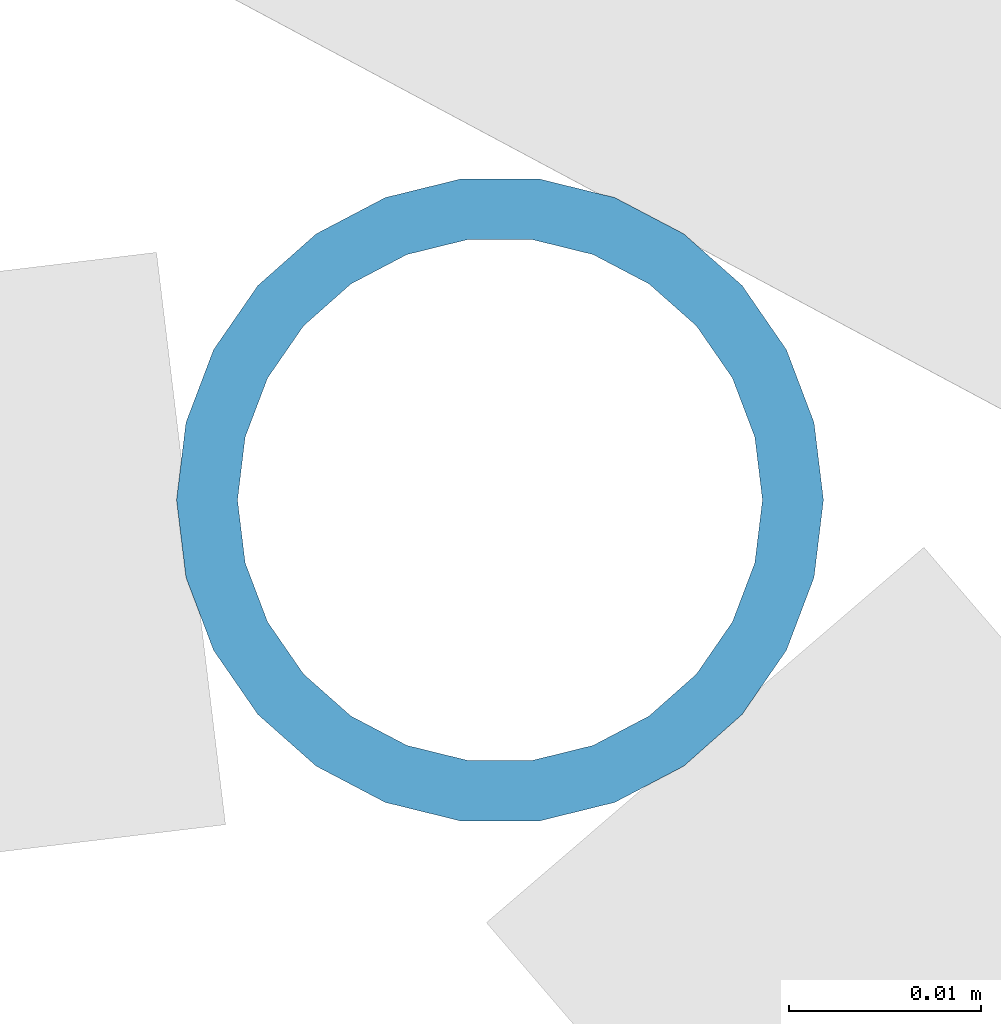
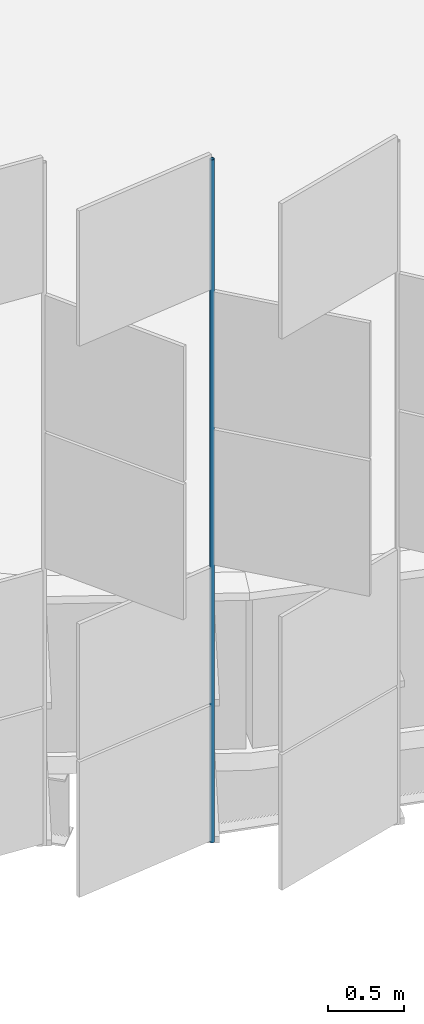
# One storey, part 163 of 483: 1 discrete accessory.
"""IFC4 building model written with IfcOpenShell, lengths in metres."""

import ifcopenshell
import ifcopenshell.guid

model = None  # the IFC model being written
_history = None  # IfcOwnerHistory: only IFC2X3 demands one
_inside = {}  # id of a spatial element -> (the spatial element, [elements in it])
_under = {}  # id of a project, library or spatial element -> (it, [spatial elements below it])
_declared = {}  # id of a project -> (the project, [libraries it declares])
_typed = {}  # id of a type object -> (the type object, [elements of that type])
_made_of = {}  # id of a material, layer set ... -> (it, [elements and type objects made of it])


def new_model(schema):
    """Start an empty IFC model of exactly this schema.

    Asked for "IFC4X3", IfcOpenShell would pick the latest addendum, in which some entities
    have other attributes; the version numbers below select the first issue.
    IFC2X3 requires an IfcOwnerHistory on every rooted entity: one is made here for all.
    """
    global model, _history
    if schema == "IFC4X3":
        model = ifcopenshell.file(schema_version=(4, 3, 0, 0))
    else:
        model = ifcopenshell.file(schema=schema)
    _inside.clear()
    _under.clear()
    _declared.clear()
    _typed.clear()
    _made_of.clear()
    _history = None
    if model.schema == "IFC2X3":
        org = make("IfcOrganization", Name="unknown")
        user = make(
            "IfcPersonAndOrganization",
            ThePerson=make("IfcPerson", FamilyName="unknown"),
            TheOrganization=org,
        )
        app = make(
            "IfcApplication",
            ApplicationDeveloper=org,
            Version="unknown",
            ApplicationFullName="unknown",
            ApplicationIdentifier="unknown",
        )
        _history = make(
            "IfcOwnerHistory",
            OwningUser=user,
            OwningApplication=app,
            ChangeAction="ADDED",
            CreationDate=0,
        )
    return model


def make(cls, **values):
    """One entity of the class cls with the attributes given. An attribute that is None is left unset."""
    return model.create_entity(
        cls, **{name: value for name, value in values.items() if value is not None}
    )


def rooted(cls, **values):
    """An entity with a GlobalId (a new one), such as an element, a storey or a relation."""
    return make(cls, GlobalId=ifcopenshell.guid.new(), OwnerHistory=_history, **values)


def si_unit(unit_type, name, prefix=None):
    """IfcSIUnit, for example si_unit("LENGTHUNIT", "METRE", prefix="MILLI")."""
    return make("IfcSIUnit", UnitType=unit_type, Prefix=prefix, Name=name)


def assignment(units):
    """IfcUnitAssignment: the units of a project."""
    return None if units is None else make("IfcUnitAssignment", Units=units)


def point(xyz):
    """IfcCartesianPoint."""
    return None if xyz is None else make("IfcCartesianPoint", Coordinates=xyz)


def direction(xyz):
    """IfcDirection."""
    return None if xyz is None else make("IfcDirection", DirectionRatios=xyz)


def frame(location, z_axis=None, x_axis=None):
    """IfcAxis2Placement3D, a coordinate frame: its origin and axes. An axis left out is left unset."""
    return make(
        "IfcAxis2Placement3D",
        Location=point(location),
        Axis=direction(z_axis),
        RefDirection=direction(x_axis),
    )


def frame_2d(location, x_axis=None):
    """IfcAxis2Placement2D, a coordinate frame in the plane: its origin and x axis."""
    return make(
        "IfcAxis2Placement2D", Location=point(location), RefDirection=direction(x_axis)
    )


def origin():
    """The frame at (0, 0, 0) with its axes left unset."""
    return frame((0.0, 0.0, 0.0))


def origin_2d():
    """The frame at (0, 0) in the plane with its x axis left unset."""
    return frame_2d((0.0, 0.0))


def place(relative_to, where):
    """IfcLocalPlacement: puts the frame where relative to a parent placement (None: the world)."""
    return make(
        "IfcLocalPlacement", PlacementRelTo=relative_to, RelativePlacement=where
    )


def context(
    kind, dimensions, precision=None, world=None, true_north=None, identifier=None
):
    """IfcGeometricRepresentationContext, for example the 3D "Model" context."""
    return make(
        "IfcGeometricRepresentationContext",
        ContextIdentifier=identifier,
        ContextType=kind,
        CoordinateSpaceDimension=dimensions,
        Precision=precision,
        WorldCoordinateSystem=world,
        TrueNorth=true_north,
    )


def subcontext(parent, identifier, kind, view, scale=None):
    """IfcGeometricRepresentationSubContext, for example "Body" below "Model"."""
    return make(
        "IfcGeometricRepresentationSubContext",
        ContextIdentifier=identifier,
        ContextType=kind,
        ParentContext=parent,
        TargetScale=scale,
        TargetView=view,
    )


def project(units=None, contexts=None):
    """IfcProject with its units and contexts."""
    return rooted(
        "IfcProject",
        Name="project",
        RepresentationContexts=contexts,
        UnitsInContext=assignment(units),
    )


def spatial(cls, under=None, at=None, **own):
    """A site, building, storey or space (cls), placed at a placement, below another one or the project."""
    s = rooted(cls, ObjectPlacement=at, **own)
    if under is not None:
        _under.setdefault(under.id(), (under, []))[1].append(s)
    return s


def profile(cls, at=None, kind="AREA", **sizes):
    """A parametric profile (cls). Its sizes go by their IFC names, for example OverallWidth=200.0."""
    return make(cls, ProfileType=kind, Position=at, **sizes)


def hollow_circle(**sizes):
    """IfcCircleHollowProfileDef."""
    return profile("IfcCircleHollowProfileDef", **sizes)


def extrude(swept, where, along, depth):
    """IfcExtrudedAreaSolid: the profile swept, set in the frame where, extruded along a direction by depth."""
    return make(
        "IfcExtrudedAreaSolid",
        SweptArea=swept,
        Position=where,
        ExtrudedDirection=direction(along),
        Depth=depth,
    )


def shape(context_of_items, identifier, shape_type, items):
    """IfcShapeRepresentation: the items that make up one representation, for example the "Body"."""
    return make(
        "IfcShapeRepresentation",
        ContextOfItems=context_of_items,
        RepresentationIdentifier=identifier,
        RepresentationType=shape_type,
        Items=items,
    )


def material(Name=None, Category=None):
    """IfcMaterial."""
    return make("IfcMaterial", Name=Name, Category=Category)


def material_profile(
    of_material, cross_section, Name=None, Category=None, Priority=None
):
    """IfcMaterialProfile: a cross section and its material."""
    return make(
        "IfcMaterialProfile",
        Name=Name,
        Material=of_material,
        Profile=cross_section,
        Priority=Priority,
        Category=Category,
    )


def profile_set(profiles, Name=None, composite=None):
    """IfcMaterialProfileSet."""
    return make(
        "IfcMaterialProfileSet",
        Name=Name,
        MaterialProfiles=profiles,
        CompositeProfile=composite,
    )


def made_of(thing, what):
    """Note that an element or type object is made of a material, layer set ...; save() writes the relation."""
    if what is not None:
        _made_of.setdefault(what.id(), (what, []))[1].append(thing)
    return thing


def type_object(cls, material=None, **own):
    """A type object (cls), such as IfcWallType, which elements share."""
    return made_of(rooted(cls, **own), material)


def element(
    cls,
    number,
    at=None,
    inside=None,
    cuts=None,
    type_object=None,
    material=None,
    context=None,
    identifier="Body",
    shape_type=None,
    held_by="IfcProductDefinitionShape",
    body=None,
    shapes=None,
    **own,
):
    """One element of the class cls, such as IfcWall. Its Tag is "e" and its number.

    at: its placement. inside: the storey or other place that contains it. cuts: it is an
    opening in that element (IfcRelVoidsElement). A single representation is given by context,
    identifier, shape_type and body (its items); several are given by shapes. held_by: the class
    of the entity that holds the representations. save() writes the other relations.
    """
    e = rooted(cls, Tag="e%d" % number, ObjectPlacement=at, **own)
    if body is not None:
        shapes = [shape(context, identifier, shape_type, body)]
    if shapes is not None:
        e.Representation = make(held_by, Representations=shapes)
    if inside is not None:
        _inside.setdefault(inside.id(), (inside, []))[1].append(e)
    if cuts is not None:
        rooted(
            "IfcRelVoidsElement", RelatingBuildingElement=cuts, RelatedOpeningElement=e
        )
    if type_object is not None:
        _typed.setdefault(type_object.id(), (type_object, []))[1].append(e)
    return made_of(e, material)


def aggregate(whole, parts):
    """IfcRelAggregates: a whole, such as a stair, and the parts it consists of."""
    return rooted("IfcRelAggregates", RelatingObject=whole, RelatedObjects=parts)


def save(model, path):
    """Write the relations noted so far, then the file.

    IfcRelAggregates (storeys below a building ...), IfcRelContainedInSpatialStructure (elements
    in a storey), IfcRelDefinesByType, IfcRelAssociatesMaterial and IfcRelDeclares: one each for
    every whole, place, type object, material and project.
    """
    for whole, parts in _under.values():
        aggregate(whole, parts)
    for where, things in _inside.values():
        rooted(
            "IfcRelContainedInSpatialStructure",
            RelatedElements=things,
            RelatingStructure=where,
        )
    for kind, things in _typed.values():
        rooted("IfcRelDefinesByType", RelatedObjects=things, RelatingType=kind)
    for what, things in _made_of.values():
        rooted("IfcRelAssociatesMaterial", RelatedObjects=things, RelatingMaterial=what)
    for by, libraries in _declared.values():
        rooted("IfcRelDeclares", RelatingContext=by, RelatedDefinitions=libraries)
    model.write(path)


model = new_model("IFC4")

# Units and contexts
model_context = context("Model", 3, precision=1e-05, world=origin(), true_north=direction((0.0, 1.0)))
body_context = subcontext(model_context, "Body", "Model", "MODEL_VIEW")
ifc_project = project(units=[si_unit("LENGTHUNIT", "METRE"), si_unit("AREAUNIT", "SQUARE_METRE"), si_unit("VOLUMEUNIT", "CUBIC_METRE"), si_unit("PLANEANGLEUNIT", "RADIAN"), si_unit("MASSUNIT", "GRAM", prefix="KILO")], contexts=[model_context])

# Site, building, storey
site_placement = place(None, origin())
site = spatial("IfcSite", under=ifc_project, at=site_placement, CompositionType="ELEMENT")
building_placement = place(site_placement, origin())
building = spatial("IfcBuilding", under=site, at=building_placement, Name="Parallax Yard Mobility Hub", CompositionType="ELEMENT")
storey_placement = place(building_placement, frame((0.0, 0.0, 13.199951171875)))
storey = spatial("IfcBuildingStorey", under=building, at=storey_placement, Name="L04", CompositionType="ELEMENT", Elevation=13.199951171875)

# Discrete accessory
ifc_material = material(Name="Steel ASTM A500 Gr C, hot-dip galvanised", Category="steel")
ifc_material_profile = material_profile(ifc_material, hollow_circle(Radius=0.016845703125, WallThickness=0.003173828125, at=origin_2d()), Name="CHS 33.7x3.2")
ifc_profile_set = profile_set([ifc_material_profile], Name="Steel ASTM A500 Gr C, hot-dip galvanised")
discrete_accessory_type = type_object("IfcDiscreteAccessoryType", Name="Hinge post CHS 33.7x3.2", PredefinedType="BRACKET", material=ifc_profile_set)
discrete_accessory_placement = place(storey_placement, frame((198.90625, 22.32373046875, 0.0), z_axis=(0.0, 0.0, 1.0), x_axis=(1.0, 0.0, 0.0)))
element("IfcDiscreteAccessory", 1, at=discrete_accessory_placement, inside=storey, type_object=discrete_accessory_type, Name="Hinge post bay 30.9 level L04", PredefinedType="BRACKET", context=body_context, shape_type="SweptSolid", body=[
    extrude(hollow_circle(Radius=0.016845703125, WallThickness=0.003173828125, at=origin_2d()), origin(), (0.0, 0.0, 1.0), 5.449951171875),
])

save(model, "model.ifc")
